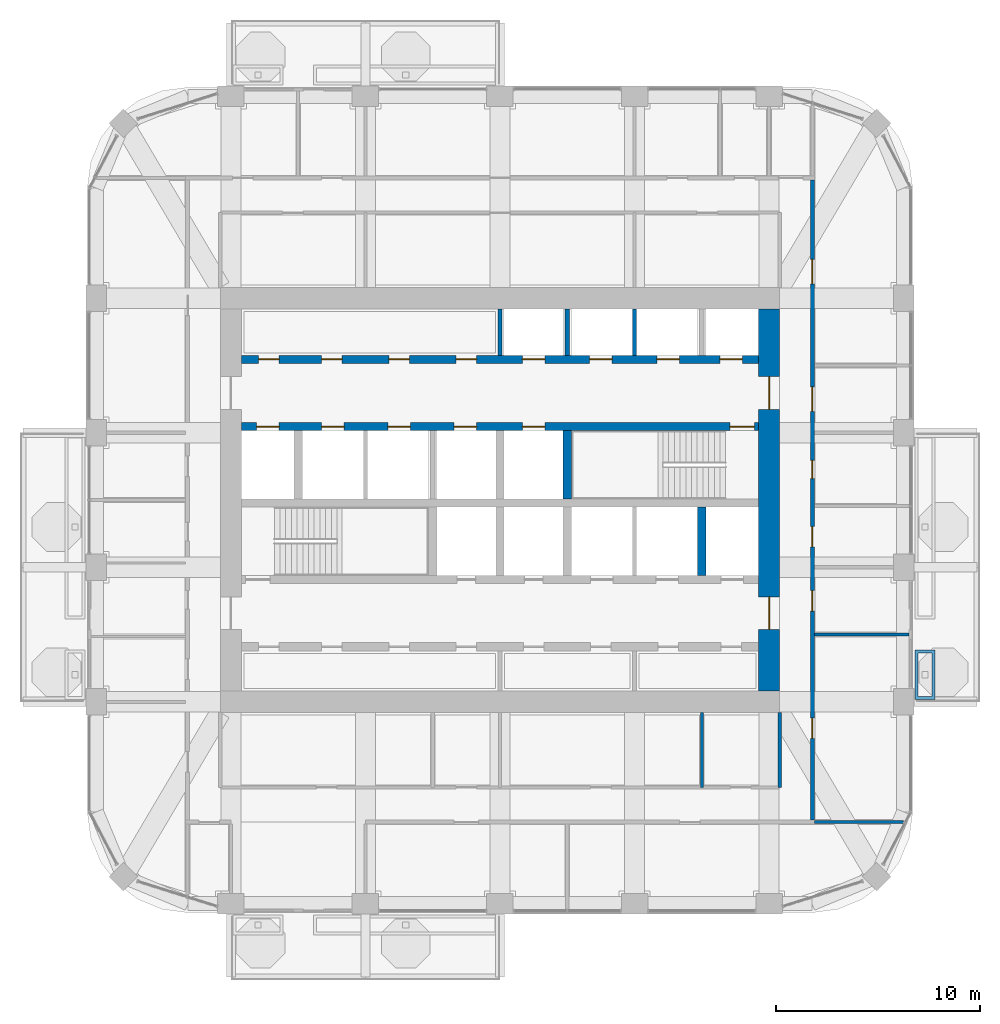
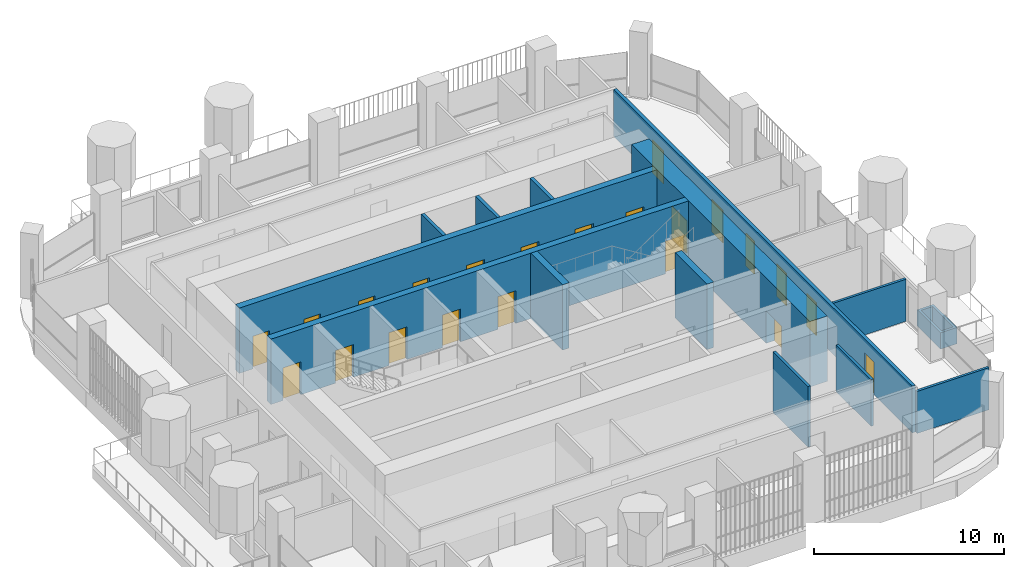
# One storey, part 13 of 20: 22 doors, 14 walls, 22 openings.
"""IFC4 building model written with IfcOpenShell, lengths in metres."""

from ifc_helpers import new_model, si_unit, direction, frame, frame_2d, origin, place, context, subcontext, project, spatial, polyline, rectangle, outline, extrude, material, layer, layer_set, type_object, element, fill, save


model = new_model("IFC4")

# Units and contexts
model_context = context("Model", 3, precision=1e-05, world=origin(), true_north=direction((0.0, 1.0)))
body_context = subcontext(model_context, "Body", "Model", "MODEL_VIEW")
ifc_project = project(units=[si_unit("LENGTHUNIT", "METRE"), si_unit("AREAUNIT", "SQUARE_METRE"), si_unit("VOLUMEUNIT", "CUBIC_METRE"), si_unit("PLANEANGLEUNIT", "RADIAN"), si_unit("MASSUNIT", "GRAM", prefix="KILO")], contexts=[model_context])

# Site, building, storey
site_placement = place(None, origin())
site = spatial("IfcSite", under=ifc_project, at=site_placement, CompositionType="ELEMENT")
building_placement = place(site_placement, origin())
building = spatial("IfcBuilding", under=site, at=building_placement, Name="Cobogo Forest Laboratory Tower", CompositionType="ELEMENT")
storey_placement = place(building_placement, frame((0.0, 0.0, 254.39990234375)))
storey = spatial("IfcBuildingStorey", under=building, at=storey_placement, Name="L58", CompositionType="ELEMENT", Elevation=254.39990234375)

# Wall, openings, doors
ifc_material_1 = material(Name="Concrete HA-50 (C50/60)", Category="concrete")
ifc_layer_1 = layer(ifc_material_1, 0.39990234375)
ifc_layer_set_1 = layer_set([ifc_layer_1], Name="CI400 core inner wall 400")
wall_type_1 = type_object("IfcWallType", Name="CI400 core inner wall 400", PredefinedType="SHEAR", material=ifc_layer_set_1)
wall_1_placement = place(storey_placement, frame((13.72509765625, 26.699951171875, 0.0), z_axis=(0.0, 0.0, 1.0), x_axis=(1.0, 0.0, 0.0)))
wall_1 = element("IfcWall", 1, at=wall_1_placement, inside=storey, type_object=wall_type_1, Name="Core wall CI-26.7 L58", PredefinedType="SHEAR", context=body_context, shape_type="SweptSolid", body=[
    extrude(rectangle(XDim=25.349853515625, YDim=0.39990234375, at=frame_2d((12.6748046875, 0.0))), origin(), (0.0, 0.0, 1.0), 4.2001953125),
])
opening_1_placement = place(wall_1_placement, frame((23.949951171875, 0.0, 0.0)))
opening_1 = element("IfcOpeningElement", 2, at=opening_1_placement, cuts=wall_1, Name="Opening L58-D33", PredefinedType="OPENING", context=body_context, shape_type="SweptSolid", body=[
    extrude(rectangle(XDim=1.199951171875, YDim=2.10009765625, at=frame_2d((0.60009765625, 1.050048828125))), frame((0.0, 0.2099609375, 0.0), z_axis=(0.0, -1.0, 0.0), x_axis=(1.0, 0.0, 0.0)), (0.0, 0.0, 1.0), 0.419921875),
])
opening_2_placement = place(wall_1_placement, frame((0.737548828125, 0.0, 0.0)))
opening_2 = element("IfcOpeningElement", 3, at=opening_2_placement, cuts=wall_1, Name="Opening L58-LD-FL1", PredefinedType="OPENING", context=body_context, shape_type="SweptSolid", body=[
    extrude(rectangle(XDim=1.10009765625, YDim=2.10009765625, at=frame_2d((0.550048828125, 1.050048828125))), frame((0.0, 0.2099609375, 0.0), z_axis=(0.0, -1.0, 0.0), x_axis=(1.0, 0.0, 0.0)), (0.0, 0.0, 1.0), 0.419921875),
])
opening_3_placement = place(wall_1_placement, frame((3.925048828125, 0.0, 0.0)))
opening_3 = element("IfcOpeningElement", 4, at=opening_3_placement, cuts=wall_1, Name="Opening L58-LD-LS3", PredefinedType="OPENING", context=body_context, shape_type="SweptSolid", body=[
    extrude(rectangle(XDim=1.10009765625, YDim=2.10009765625, at=frame_2d((0.550048828125, 1.050048828125))), frame((0.0, 0.2099609375, 0.0), z_axis=(0.0, -1.0, 0.0), x_axis=(1.0, 0.0, 0.0)), (0.0, 0.0, 1.0), 0.419921875),
])
opening_4_placement = place(wall_1_placement, frame((7.175048828125, 0.0, 0.0)))
opening_4 = element("IfcOpeningElement", 5, at=opening_4_placement, cuts=wall_1, Name="Opening L58-LD-LS4", PredefinedType="OPENING", context=body_context, shape_type="SweptSolid", body=[
    extrude(rectangle(XDim=1.10009765625, YDim=2.10009765625, at=frame_2d((0.550048828125, 1.050048828125))), frame((0.0, 0.2099609375, 0.0), z_axis=(0.0, -1.0, 0.0), x_axis=(1.0, 0.0, 0.0)), (0.0, 0.0, 1.0), 0.419921875),
])
opening_5_placement = place(wall_1_placement, frame((10.425048828125, 0.0, 0.0)))
opening_5 = element("IfcOpeningElement", 6, at=opening_5_placement, cuts=wall_1, Name="Opening L58-LD-LS5", PredefinedType="OPENING", context=body_context, shape_type="SweptSolid", body=[
    extrude(rectangle(XDim=1.10009765625, YDim=2.10009765625, at=frame_2d((0.550048828125, 1.050048828125))), frame((0.0, 0.2099609375, 0.0), z_axis=(0.0, -1.0, 0.0), x_axis=(1.0, 0.0, 0.0)), (0.0, 0.0, 1.0), 0.419921875),
])
opening_6_placement = place(wall_1_placement, frame((13.77490234375, 0.0, 0.0)))
opening_6 = element("IfcOpeningElement", 7, at=opening_6_placement, cuts=wall_1, Name="Opening L58-LD-LS6", PredefinedType="OPENING", context=body_context, shape_type="SweptSolid", body=[
    extrude(rectangle(XDim=1.10009765625, YDim=2.10009765625, at=frame_2d((0.550048828125, 1.050048828125))), frame((0.0, 0.2099609375, 0.0), z_axis=(0.0, -1.0, 0.0), x_axis=(1.0, 0.0, 0.0)), (0.0, 0.0, 1.0), 0.419921875),
])
ifc_material_2 = material(Name="Steel fire door", Category="steel")
door_type_1 = type_object("IfcDoorType", Name="DS1 protected stair door 1200 EI2 60", OperationType="SINGLE_SWING_LEFT", PredefinedType="DOOR", material=ifc_material_2)
door_1_placement = place(opening_1_placement, origin())
door_1 = element("IfcDoor", 8, at=door_1_placement, inside=storey, type_object=door_type_1, Name="Door L58-ST2", OperationType="SINGLE_SWING_RIGHT", OverallHeight=2.10009765625, OverallWidth=1.199951171875, PredefinedType="DOOR", context=body_context, shape_type="SweptSolid", body=[
    extrude(rectangle(XDim=1.199951171875, YDim=2.10009765625, at=frame_2d((0.60009765625, 1.050048828125))), frame((0.0, 0.02490234375, 0.0), z_axis=(0.0, -1.0, 0.0), x_axis=(1.0, 0.0, 0.0)), (0.0, 0.0, 1.0), 0.050048828125),
])
fill(opening_1, door_1)
ifc_material_3 = material(Name="Stainless steel lift door", Category="steel")
door_type_2 = type_object("IfcDoorType", Name="LD lift landing door 1100", OperationType="DOUBLE_DOOR_SLIDING", PredefinedType="DOOR", material=ifc_material_3)
door_2_placement = place(opening_2_placement, origin())
door_2 = element("IfcDoor", 9, at=door_2_placement, inside=storey, type_object=door_type_2, Name="Lift landing door FL1 L58", OperationType="DOUBLE_DOOR_SLIDING", OverallHeight=2.10009765625, OverallWidth=1.10009765625, PredefinedType="DOOR", context=body_context, shape_type="SweptSolid", body=[
    extrude(rectangle(XDim=1.10009765625, YDim=2.10009765625, at=frame_2d((0.550048828125, 1.050048828125))), frame((0.0, 0.02490234375, 0.0), z_axis=(0.0, -1.0, 0.0), x_axis=(1.0, 0.0, 0.0)), (0.0, 0.0, 1.0), 0.050048828125),
])
fill(opening_2, door_2)
door_3_placement = place(opening_3_placement, origin())
door_3 = element("IfcDoor", 10, at=door_3_placement, inside=storey, type_object=door_type_2, Name="Lift landing door LS3 L58", OperationType="DOUBLE_DOOR_SLIDING", OverallHeight=2.10009765625, OverallWidth=1.10009765625, PredefinedType="DOOR", context=body_context, shape_type="SweptSolid", body=[
    extrude(rectangle(XDim=1.10009765625, YDim=2.10009765625, at=frame_2d((0.550048828125, 1.050048828125))), frame((0.0, 0.02490234375, 0.0), z_axis=(0.0, -1.0, 0.0), x_axis=(1.0, 0.0, 0.0)), (0.0, 0.0, 1.0), 0.050048828125),
])
fill(opening_3, door_3)
door_4_placement = place(opening_4_placement, origin())
door_4 = element("IfcDoor", 11, at=door_4_placement, inside=storey, type_object=door_type_2, Name="Lift landing door LS4 L58", OperationType="DOUBLE_DOOR_SLIDING", OverallHeight=2.10009765625, OverallWidth=1.10009765625, PredefinedType="DOOR", context=body_context, shape_type="SweptSolid", body=[
    extrude(rectangle(XDim=1.10009765625, YDim=2.10009765625, at=frame_2d((0.550048828125, 1.050048828125))), frame((0.0, 0.02490234375, 0.0), z_axis=(0.0, -1.0, 0.0), x_axis=(1.0, 0.0, 0.0)), (0.0, 0.0, 1.0), 0.050048828125),
])
fill(opening_4, door_4)
door_5_placement = place(opening_5_placement, origin())
door_5 = element("IfcDoor", 12, at=door_5_placement, inside=storey, type_object=door_type_2, Name="Lift landing door LS5 L58", OperationType="DOUBLE_DOOR_SLIDING", OverallHeight=2.10009765625, OverallWidth=1.10009765625, PredefinedType="DOOR", context=body_context, shape_type="SweptSolid", body=[
    extrude(rectangle(XDim=1.10009765625, YDim=2.10009765625, at=frame_2d((0.550048828125, 1.050048828125))), frame((0.0, 0.02490234375, 0.0), z_axis=(0.0, -1.0, 0.0), x_axis=(1.0, 0.0, 0.0)), (0.0, 0.0, 1.0), 0.050048828125),
])
fill(opening_5, door_5)
door_6_placement = place(opening_6_placement, origin())
door_6 = element("IfcDoor", 13, at=door_6_placement, inside=storey, type_object=door_type_2, Name="Lift landing door LS6 L58", OperationType="DOUBLE_DOOR_SLIDING", OverallHeight=2.10009765625, OverallWidth=1.10009765625, PredefinedType="DOOR", context=body_context, shape_type="SweptSolid", body=[
    extrude(rectangle(XDim=1.10009765625, YDim=2.10009765625, at=frame_2d((0.550048828125, 1.050048828125))), frame((0.0, 0.02490234375, 0.0), z_axis=(0.0, -1.0, 0.0), x_axis=(1.0, 0.0, 0.0)), (0.0, 0.0, 1.0), 0.050048828125),
])
fill(opening_6, door_6)

wall_2_placement = place(storey_placement, frame((13.72509765625, 30.0, 0.0), z_axis=(0.0, 0.0, 1.0), x_axis=(1.0, 0.0, 0.0)))
wall_2 = element("IfcWall", 14, at=wall_2_placement, inside=storey, type_object=wall_type_1, Name="Core wall CI-30.0 L58", PredefinedType="SHEAR", context=body_context, shape_type="SweptSolid", body=[
    extrude(rectangle(XDim=25.349853515625, YDim=0.39990234375, at=frame_2d((12.6748046875, 0.0))), origin(), (0.0, 0.0, 1.0), 4.2001953125),
])
opening_7_placement = place(wall_2_placement, frame((0.83740234375, 0.0, 0.0)))
opening_7 = element("IfcOpeningElement", 15, at=opening_7_placement, cuts=wall_2, Name="Opening L58-D37", PredefinedType="OPENING", context=body_context, shape_type="SweptSolid", body=[
    extrude(rectangle(XDim=1.0, YDim=2.10009765625, at=frame_2d((0.5, 1.050048828125))), frame((0.0, 0.2099609375, 0.0), z_axis=(0.0, -1.0, 0.0), x_axis=(1.0, 0.0, 0.0)), (0.0, 0.0, 1.0), 0.419921875),
])
opening_8_placement = place(wall_2_placement, frame((3.925048828125, 0.0, 0.0)))
opening_8 = element("IfcOpeningElement", 16, at=opening_8_placement, cuts=wall_2, Name="Opening L58-D38", PredefinedType="OPENING", context=body_context, shape_type="SweptSolid", body=[
    extrude(rectangle(XDim=1.0, YDim=2.10009765625, at=frame_2d((0.5, 1.050048828125))), frame((0.0, 0.2099609375, 0.0), z_axis=(0.0, -1.0, 0.0), x_axis=(1.0, 0.0, 0.0)), (0.0, 0.0, 1.0), 0.419921875),
])
opening_9_placement = place(wall_2_placement, frame((7.22509765625, 0.0, 0.0)))
opening_9 = element("IfcOpeningElement", 17, at=opening_9_placement, cuts=wall_2, Name="Opening L58-D39", PredefinedType="OPENING", context=body_context, shape_type="SweptSolid", body=[
    extrude(rectangle(XDim=1.0, YDim=2.10009765625, at=frame_2d((0.5, 1.050048828125))), frame((0.0, 0.2099609375, 0.0), z_axis=(0.0, -1.0, 0.0), x_axis=(1.0, 0.0, 0.0)), (0.0, 0.0, 1.0), 0.419921875),
])
opening_10_placement = place(wall_2_placement, frame((10.52490234375, 0.0, 0.0)))
opening_10 = element("IfcOpeningElement", 18, at=opening_10_placement, cuts=wall_2, Name="Opening L58-D40", PredefinedType="OPENING", context=body_context, shape_type="SweptSolid", body=[
    extrude(rectangle(XDim=1.0, YDim=2.10009765625, at=frame_2d((0.5, 1.050048828125))), frame((0.0, 0.2099609375, 0.0), z_axis=(0.0, -1.0, 0.0), x_axis=(1.0, 0.0, 0.0)), (0.0, 0.0, 1.0), 0.419921875),
])
opening_11_placement = place(wall_2_placement, frame((13.77490234375, 0.0, 0.0)))
opening_11 = element("IfcOpeningElement", 19, at=opening_11_placement, cuts=wall_2, Name="Opening L58-LD-LD1", PredefinedType="OPENING", context=body_context, shape_type="SweptSolid", body=[
    extrude(rectangle(XDim=1.10009765625, YDim=2.10009765625, at=frame_2d((0.550048828125, 1.050048828125))), frame((0.0, 0.2099609375, 0.0), z_axis=(0.0, -1.0, 0.0), x_axis=(1.0, 0.0, 0.0)), (0.0, 0.0, 1.0), 0.419921875),
])
opening_12_placement = place(wall_2_placement, frame((17.074951171875, 0.0, 0.0)))
opening_12 = element("IfcOpeningElement", 20, at=opening_12_placement, cuts=wall_2, Name="Opening L58-LD-LD2", PredefinedType="OPENING", context=body_context, shape_type="SweptSolid", body=[
    extrude(rectangle(XDim=1.10009765625, YDim=2.10009765625, at=frame_2d((0.550048828125, 1.050048828125))), frame((0.0, 0.2099609375, 0.0), z_axis=(0.0, -1.0, 0.0), x_axis=(1.0, 0.0, 0.0)), (0.0, 0.0, 1.0), 0.419921875),
])
opening_13_placement = place(wall_2_placement, frame((20.375, 0.0, 0.0)))
opening_13 = element("IfcOpeningElement", 21, at=opening_13_placement, cuts=wall_2, Name="Opening L58-LD-LD3", PredefinedType="OPENING", context=body_context, shape_type="SweptSolid", body=[
    extrude(rectangle(XDim=1.10009765625, YDim=2.10009765625, at=frame_2d((0.550048828125, 1.050048828125))), frame((0.0, 0.2099609375, 0.0), z_axis=(0.0, -1.0, 0.0), x_axis=(1.0, 0.0, 0.0)), (0.0, 0.0, 1.0), 0.419921875),
])
opening_14_placement = place(wall_2_placement, frame((23.46240234375, 0.0, 0.0)))
opening_14 = element("IfcOpeningElement", 22, at=opening_14_placement, cuts=wall_2, Name="Opening L58-LD-LD4", PredefinedType="OPENING", context=body_context, shape_type="SweptSolid", body=[
    extrude(rectangle(XDim=1.10009765625, YDim=2.10009765625, at=frame_2d((0.550048828125, 1.050048828125))), frame((0.0, 0.2099609375, 0.0), z_axis=(0.0, -1.0, 0.0), x_axis=(1.0, 0.0, 0.0)), (0.0, 0.0, 1.0), 0.419921875),
])
door_type_3 = type_object("IfcDoorType", Name="FD1 fire door 1000 EI2 60", OperationType="SINGLE_SWING_LEFT", PredefinedType="DOOR", material=ifc_material_2)
door_7_placement = place(opening_7_placement, origin())
door_7 = element("IfcDoor", 23, at=door_7_placement, inside=storey, type_object=door_type_3, Name="Door L58-SH-LC1", OperationType="SINGLE_SWING_LEFT", OverallHeight=2.10009765625, OverallWidth=1.0, PredefinedType="DOOR", context=body_context, shape_type="SweptSolid", body=[
    extrude(rectangle(XDim=1.0, YDim=2.10009765625, at=frame_2d((0.5, 1.050048828125))), frame((0.0, 0.02490234375, 0.0), z_axis=(0.0, -1.0, 0.0), x_axis=(1.0, 0.0, 0.0)), (0.0, 0.0, 1.0), 0.050048828125),
])
fill(opening_7, door_7)
door_8_placement = place(opening_8_placement, origin())
door_8 = element("IfcDoor", 24, at=door_8_placement, inside=storey, type_object=door_type_3, Name="Door L58-SH-LC2", OperationType="SINGLE_SWING_LEFT", OverallHeight=2.10009765625, OverallWidth=1.0, PredefinedType="DOOR", context=body_context, shape_type="SweptSolid", body=[
    extrude(rectangle(XDim=1.0, YDim=2.10009765625, at=frame_2d((0.5, 1.050048828125))), frame((0.0, 0.02490234375, 0.0), z_axis=(0.0, -1.0, 0.0), x_axis=(1.0, 0.0, 0.0)), (0.0, 0.0, 1.0), 0.050048828125),
])
fill(opening_8, door_8)
door_9_placement = place(opening_9_placement, origin())
door_9 = element("IfcDoor", 25, at=door_9_placement, inside=storey, type_object=door_type_3, Name="Door L58-SH-LC3", OperationType="SINGLE_SWING_LEFT", OverallHeight=2.10009765625, OverallWidth=1.0, PredefinedType="DOOR", context=body_context, shape_type="SweptSolid", body=[
    extrude(rectangle(XDim=1.0, YDim=2.10009765625, at=frame_2d((0.5, 1.050048828125))), frame((0.0, 0.02490234375, 0.0), z_axis=(0.0, -1.0, 0.0), x_axis=(1.0, 0.0, 0.0)), (0.0, 0.0, 1.0), 0.050048828125),
])
fill(opening_9, door_9)
door_10_placement = place(opening_10_placement, origin())
door_10 = element("IfcDoor", 26, at=door_10_placement, inside=storey, type_object=door_type_3, Name="Door L58-SH-LC4", OperationType="SINGLE_SWING_LEFT", OverallHeight=2.10009765625, OverallWidth=1.0, PredefinedType="DOOR", context=body_context, shape_type="SweptSolid", body=[
    extrude(rectangle(XDim=1.0, YDim=2.10009765625, at=frame_2d((0.5, 1.050048828125))), frame((0.0, 0.02490234375, 0.0), z_axis=(0.0, -1.0, 0.0), x_axis=(1.0, 0.0, 0.0)), (0.0, 0.0, 1.0), 0.050048828125),
])
fill(opening_10, door_10)
door_11_placement = place(opening_11_placement, origin())
door_11 = element("IfcDoor", 27, at=door_11_placement, inside=storey, type_object=door_type_2, Name="Lift landing door LD1 L58", OperationType="DOUBLE_DOOR_SLIDING", OverallHeight=2.10009765625, OverallWidth=1.10009765625, PredefinedType="DOOR", context=body_context, shape_type="SweptSolid", body=[
    extrude(rectangle(XDim=1.10009765625, YDim=2.10009765625, at=frame_2d((0.550048828125, 1.050048828125))), frame((0.0, 0.02490234375, 0.0), z_axis=(0.0, -1.0, 0.0), x_axis=(1.0, 0.0, 0.0)), (0.0, 0.0, 1.0), 0.050048828125),
])
fill(opening_11, door_11)
door_12_placement = place(opening_12_placement, origin())
door_12 = element("IfcDoor", 28, at=door_12_placement, inside=storey, type_object=door_type_2, Name="Lift landing door LD2 L58", OperationType="DOUBLE_DOOR_SLIDING", OverallHeight=2.10009765625, OverallWidth=1.10009765625, PredefinedType="DOOR", context=body_context, shape_type="SweptSolid", body=[
    extrude(rectangle(XDim=1.10009765625, YDim=2.10009765625, at=frame_2d((0.550048828125, 1.050048828125))), frame((0.0, 0.02490234375, 0.0), z_axis=(0.0, -1.0, 0.0), x_axis=(1.0, 0.0, 0.0)), (0.0, 0.0, 1.0), 0.050048828125),
])
fill(opening_12, door_12)
door_13_placement = place(opening_13_placement, origin())
door_13 = element("IfcDoor", 29, at=door_13_placement, inside=storey, type_object=door_type_2, Name="Lift landing door LD3 L58", OperationType="DOUBLE_DOOR_SLIDING", OverallHeight=2.10009765625, OverallWidth=1.10009765625, PredefinedType="DOOR", context=body_context, shape_type="SweptSolid", body=[
    extrude(rectangle(XDim=1.10009765625, YDim=2.10009765625, at=frame_2d((0.550048828125, 1.050048828125))), frame((0.0, 0.02490234375, 0.0), z_axis=(0.0, -1.0, 0.0), x_axis=(1.0, 0.0, 0.0)), (0.0, 0.0, 1.0), 0.050048828125),
])
fill(opening_13, door_13)
door_14_placement = place(opening_14_placement, origin())
door_14 = element("IfcDoor", 30, at=door_14_placement, inside=storey, type_object=door_type_2, Name="Lift landing door LD4 L58", OperationType="DOUBLE_DOOR_SLIDING", OverallHeight=2.10009765625, OverallWidth=1.10009765625, PredefinedType="DOOR", context=body_context, shape_type="SweptSolid", body=[
    extrude(rectangle(XDim=1.10009765625, YDim=2.10009765625, at=frame_2d((0.550048828125, 1.050048828125))), frame((0.0, 0.02490234375, 0.0), z_axis=(0.0, -1.0, 0.0), x_axis=(1.0, 0.0, 0.0)), (0.0, 0.0, 1.0), 0.050048828125),
])
fill(opening_14, door_14)

# Walls
for number, where, z_axis, x_axis, name in (
    (31, (36.300048828125, 19.39990234375, 0.0), (0.0, 0.0, 1.0), (0.0, 1.0, 0.0), "Core wall CX-36.3 L58"),
    (32, (29.699951171875, 23.14990234375, 0.0), (0.0, 0.0, 1.0), (0.0, 1.0, 0.0), "Core wall CX-29.7N L58"),
):
    element("IfcWall", number, at=place(storey_placement, frame(where, z_axis=z_axis, x_axis=x_axis)), inside=storey, type_object=wall_type_1, Name=name, PredefinedType="SHEAR", context=body_context, shape_type="SweptSolid", body=[
        extrude(rectangle(XDim=3.35009765625, YDim=0.39990234375, at=frame_2d((1.675048828125, 0.0))), origin(), (0.0, 0.0, 1.0), 4.2001953125),
    ])

# Wall, openings, doors
ifc_layer_2 = layer(ifc_material_1, 1.050048828125)
ifc_layer_set_2 = layer_set([ifc_layer_2], Name="CW1050 core outer wall 1050")
wall_type_2 = type_object("IfcWallType", Name="CW1050 core outer wall 1050", PredefinedType="SHEAR", material=ifc_layer_set_2)
wall_3_placement = place(storey_placement, frame((39.60009765625, 13.72509765625, 0.0), z_axis=(0.0, 0.0, 1.0), x_axis=(0.0, 1.0, 0.0)))
wall_3 = element("IfcWall", 33, at=wall_3_placement, inside=storey, type_object=wall_type_2, Name="Core wall CO-E L58", PredefinedType="SHEAR", context=body_context, shape_type="SweptSolid", body=[
    extrude(rectangle(XDim=18.75, YDim=1.050048828125, at=frame_2d((9.375, 0.0))), origin(), (0.0, 0.0, 1.0), 4.2001953125),
])
opening_15_placement = place(wall_3_placement, frame((3.02490234375, 0.0, 0.0)))
opening_15 = element("IfcOpeningElement", 34, at=opening_15_placement, cuts=wall_3, Name="Opening L58-D23", PredefinedType="OPENING", context=body_context, shape_type="SweptSolid", body=[
    extrude(rectangle(XDim=1.60009765625, YDim=2.10009765625, at=frame_2d((0.800048828125, 1.050048828125))), frame((0.0, 0.534912109375, 0.0), z_axis=(0.0, -1.0, 0.0), x_axis=(1.0, 0.0, 0.0)), (0.0, 0.0, 1.0), 1.070068359375),
])
opening_16_placement = place(wall_3_placement, frame((13.824951171875, 0.0, 0.0)))
opening_16 = element("IfcOpeningElement", 35, at=opening_16_placement, cuts=wall_3, Name="Opening L58-D36", PredefinedType="OPENING", context=body_context, shape_type="SweptSolid", body=[
    extrude(rectangle(XDim=1.60009765625, YDim=2.10009765625, at=frame_2d((0.800048828125, 1.050048828125))), frame((0.0, 0.534912109375, 0.0), z_axis=(0.0, -1.0, 0.0), x_axis=(1.0, 0.0, 0.0)), (0.0, 0.0, 1.0), 1.070068359375),
])
door_type_4 = type_object("IfcDoorType", Name="DS2 protected lobby door pair 1600 EI2 60", OperationType="DOUBLE_DOOR_DOUBLE_SWING", PredefinedType="DOOR", material=ifc_material_2)
door_15_placement = place(opening_15_placement, origin())
door_15 = element("IfcDoor", 36, at=door_15_placement, inside=storey, type_object=door_type_4, Name="Door L58-CO-E-S", OperationType="DOUBLE_DOOR_DOUBLE_SWING", OverallHeight=2.10009765625, OverallWidth=1.60009765625, PredefinedType="DOOR", context=body_context, shape_type="SweptSolid", body=[
    extrude(rectangle(XDim=1.60009765625, YDim=2.10009765625, at=frame_2d((0.800048828125, 1.050048828125))), frame((0.0, 0.02490234375, 0.0), z_axis=(0.0, -1.0, 0.0), x_axis=(1.0, 0.0, 0.0)), (0.0, 0.0, 1.0), 0.050048828125),
])
fill(opening_15, door_15)
door_16_placement = place(opening_16_placement, origin())
door_16 = element("IfcDoor", 37, at=door_16_placement, inside=storey, type_object=door_type_4, Name="Door L58-CO-E-N", OperationType="DOUBLE_DOOR_DOUBLE_SWING", OverallHeight=2.10009765625, OverallWidth=1.60009765625, PredefinedType="DOOR", context=body_context, shape_type="SweptSolid", body=[
    extrude(rectangle(XDim=1.60009765625, YDim=2.10009765625, at=frame_2d((0.800048828125, 1.050048828125))), frame((0.0, 0.02490234375, 0.0), z_axis=(0.0, -1.0, 0.0), x_axis=(1.0, 0.0, 0.0)), (0.0, 0.0, 1.0), 0.050048828125),
])
fill(opening_16, door_16)

# Walls
ifc_material_4 = material(Name="Gypsum board on steel studs", Category="steel")
ifc_layer_3 = layer(ifc_material_4, 0.14990234375)
ifc_layer_set_3 = layer_set([ifc_layer_3], Name="PT1 laboratory partition 150")
wall_type_3 = type_object("IfcWallType", Name="PT1 laboratory partition 150", PredefinedType="PARTITIONING", material=ifc_layer_set_3)
wall_4_placement = place(storey_placement, frame((40.125, 12.675048828125, 0.0), z_axis=(0.0, 0.0, 1.0), x_axis=(0.0, -1.0, 0.0)))
element("IfcWall", 38, at=wall_4_placement, inside=storey, type_object=wall_type_3, Name="Partition CSTRIP-SE L58", PredefinedType="PARTITIONING", context=body_context, shape_type="SweptSolid", body=[
    extrude(rectangle(XDim=3.675048828125, YDim=0.14990234375, at=frame_2d((1.83740234375, 0.0))), origin(), (0.0, 0.0, 1.0), 3.0),
])
wall_5_placement = place(storey_placement, frame((36.300048828125, 12.675048828125, 0.0), z_axis=(0.0, 0.0, 1.0), x_axis=(0.0, -1.0, 0.0)))
element("IfcWall", 39, at=wall_5_placement, inside=storey, type_object=wall_type_3, Name="Partition CSTRIP-S36.3 L58", PredefinedType="PARTITIONING", context=body_context, shape_type="SweptSolid", body=[
    extrude(rectangle(XDim=3.675048828125, YDim=0.14990234375, at=frame_2d((1.83740234375, 0.0))), origin(), (0.0, 0.0, 1.0), 3.900146484375),
])
wall_6_placement = place(storey_placement, frame((46.197509765625, 7.300048828125, 0.0), z_axis=(0.0, 0.0, 1.0), x_axis=(-1.0, 0.0, 0.0)))
element("IfcWall", 40, at=wall_6_placement, inside=storey, type_object=wall_type_3, Name="Partition PW-SE L58", PredefinedType="PARTITIONING", context=body_context, shape_type="SweptSolid", body=[
    extrude(rectangle(XDim=4.37255859375, YDim=0.14990234375, at=frame_2d((2.186279296875, 0.0))), origin(), (0.0, 0.0, 1.0), 2.7001953125),
])
wall_7_placement = place(storey_placement, frame((46.469970703125, 16.5, 0.0), z_axis=(0.0, 0.0, 1.0), x_axis=(-1.0, 0.0, 0.0)))
element("IfcWall", 41, at=wall_7_placement, inside=storey, type_object=wall_type_3, Name="Partition CUT-E16.5-1 L58", PredefinedType="PARTITIONING", context=body_context, shape_type="SweptSolid", body=[
    extrude(rectangle(XDim=4.64501953125, YDim=0.14990234375, at=frame_2d((2.322509765625, 0.0))), origin(), (0.0, 0.0, 1.0), 2.7001953125),
])

# Wall, openings, doors
ifc_layer_4 = layer(ifc_material_4, 0.199951171875)
ifc_layer_set_4 = layer_set([ifc_layer_4], Name="PT2 fire-rated corridor partition 200")
wall_type_4 = type_object("IfcWallType", Name="PT2 fire-rated corridor partition 200", PredefinedType="PARTITIONING", material=ifc_layer_set_4)
wall_8_placement = place(storey_placement, frame((41.72509765625, 7.39990234375, 0.0), z_axis=(0.0, 0.0, 1.0), x_axis=(0.0, 1.0, 0.0)))
wall_8 = element("IfcWall", 42, at=wall_8_placement, inside=storey, type_object=wall_type_4, Name="Partition CORR-E L58", PredefinedType="PARTITIONING", context=body_context, shape_type="SweptSolid", body=[
    extrude(rectangle(XDim=31.400146484375, YDim=0.199951171875, at=frame_2d((15.7001953125, 0.0))), origin(), (0.0, 0.0, 1.0), 3.0),
])
opening_17_placement = place(wall_8_placement, frame((4.0, 0.0, 0.0)))
opening_17 = element("IfcOpeningElement", 43, at=opening_17_placement, cuts=wall_8, Name="Opening L58-D10", PredefinedType="OPENING", context=body_context, shape_type="SweptSolid", body=[
    extrude(rectangle(XDim=1.0, YDim=2.10009765625, at=frame_2d((0.5, 1.050048828125))), frame((0.0, 0.10986328125, 0.0), z_axis=(0.0, -1.0, 0.0), x_axis=(1.0, 0.0, 0.0)), (0.0, 0.0, 1.0), 0.219970703125),
])
opening_18_placement = place(wall_8_placement, frame((10.25, 0.0, 0.0)))
opening_18 = element("IfcOpeningElement", 44, at=opening_18_placement, cuts=wall_8, Name="Opening L58-D24", PredefinedType="OPENING", context=body_context, shape_type="SweptSolid", body=[
    extrude(rectangle(XDim=1.0, YDim=2.10009765625, at=frame_2d((0.5, 1.050048828125))), frame((0.0, 0.10986328125, 0.0), z_axis=(0.0, -1.0, 0.0), x_axis=(1.0, 0.0, 0.0)), (0.0, 0.0, 1.0), 0.219970703125),
])
opening_19_placement = place(wall_8_placement, frame((13.39990234375, 0.0, 0.0)))
opening_19 = element("IfcOpeningElement", 45, at=opening_19_placement, cuts=wall_8, Name="Opening L58-D29", PredefinedType="OPENING", context=body_context, shape_type="SweptSolid", body=[
    extrude(rectangle(XDim=1.0, YDim=2.10009765625, at=frame_2d((0.5, 1.050048828125))), frame((0.0, 0.10986328125, 0.0), z_axis=(0.0, -1.0, 0.0), x_axis=(1.0, 0.0, 0.0)), (0.0, 0.0, 1.0), 0.219970703125),
])
opening_20_placement = place(wall_8_placement, frame((16.75, 0.0, 0.0)))
opening_20 = element("IfcOpeningElement", 46, at=opening_20_placement, cuts=wall_8, Name="Opening L58-D31", PredefinedType="OPENING", context=body_context, shape_type="SweptSolid", body=[
    extrude(rectangle(XDim=0.89990234375, YDim=2.10009765625, at=frame_2d((0.449951171875, 1.050048828125))), frame((0.0, 0.10986328125, 0.0), z_axis=(0.0, -1.0, 0.0), x_axis=(1.0, 0.0, 0.0)), (0.0, 0.0, 1.0), 0.219970703125),
])
opening_21_placement = place(wall_8_placement, frame((20.050048828125, 0.0, 0.0)))
opening_21 = element("IfcOpeningElement", 47, at=opening_21_placement, cuts=wall_8, Name="Opening L58-D34", PredefinedType="OPENING", context=body_context, shape_type="SweptSolid", body=[
    extrude(rectangle(XDim=1.199951171875, YDim=2.10009765625, at=frame_2d((0.60009765625, 1.050048828125))), frame((0.0, 0.10986328125, 0.0), z_axis=(0.0, -1.0, 0.0), x_axis=(1.0, 0.0, 0.0)), (0.0, 0.0, 1.0), 0.219970703125),
])
opening_22_placement = place(wall_8_placement, frame((26.300048828125, 0.0, 0.0)))
opening_22 = element("IfcOpeningElement", 48, at=opening_22_placement, cuts=wall_8, Name="Opening L58-D42", PredefinedType="OPENING", context=body_context, shape_type="SweptSolid", body=[
    extrude(rectangle(XDim=1.199951171875, YDim=2.10009765625, at=frame_2d((0.60009765625, 1.050048828125))), frame((0.0, 0.10986328125, 0.0), z_axis=(0.0, -1.0, 0.0), x_axis=(1.0, 0.0, 0.0)), (0.0, 0.0, 1.0), 0.219970703125),
])
ifc_material_5 = material(Name="Timber door", Category="wood")
door_type_5 = type_object("IfcDoorType", Name="D2 laboratory door 1200 unequal pair", OperationType="DOUBLE_DOOR_SINGLE_SWING", PredefinedType="DOOR", material=ifc_material_5)
door_17_placement = place(opening_21_placement, origin())
door_17 = element("IfcDoor", 49, at=door_17_placement, inside=storey, type_object=door_type_5, Name="Door L58-E3", OperationType="DOUBLE_DOOR_SINGLE_SWING", OverallHeight=2.10009765625, OverallWidth=1.199951171875, PredefinedType="DOOR", context=body_context, shape_type="SweptSolid", body=[
    extrude(rectangle(XDim=1.199951171875, YDim=2.10009765625, at=frame_2d((0.60009765625, 1.050048828125))), frame((0.0, 0.02490234375, 0.0), z_axis=(0.0, -1.0, 0.0), x_axis=(1.0, 0.0, 0.0)), (0.0, 0.0, 1.0), 0.050048828125),
])
fill(opening_21, door_17)
door_18_placement = place(opening_22_placement, origin())
door_18 = element("IfcDoor", 50, at=door_18_placement, inside=storey, type_object=door_type_5, Name="Door L58-E4", OperationType="DOUBLE_DOOR_SINGLE_SWING", OverallHeight=2.10009765625, OverallWidth=1.199951171875, PredefinedType="DOOR", context=body_context, shape_type="SweptSolid", body=[
    extrude(rectangle(XDim=1.199951171875, YDim=2.10009765625, at=frame_2d((0.60009765625, 1.050048828125))), frame((0.0, 0.02490234375, 0.0), z_axis=(0.0, -1.0, 0.0), x_axis=(1.0, 0.0, 0.0)), (0.0, 0.0, 1.0), 0.050048828125),
])
fill(opening_22, door_18)
door_19_placement = place(opening_19_placement, origin())
door_19 = element("IfcDoor", 51, at=door_19_placement, inside=storey, type_object=door_type_3, Name="Door L58-ELEC", OperationType="SINGLE_SWING_LEFT", OverallHeight=2.10009765625, OverallWidth=1.0, PredefinedType="DOOR", context=body_context, shape_type="SweptSolid", body=[
    extrude(rectangle(XDim=1.0, YDim=2.10009765625, at=frame_2d((0.5, 1.050048828125))), frame((0.0, 0.02490234375, 0.0), z_axis=(0.0, -1.0, 0.0), x_axis=(1.0, 0.0, 0.0)), (0.0, 0.0, 1.0), 0.050048828125),
])
fill(opening_19, door_19)
ifc_material_6 = material(Name="Timber fire door", Category="wood")
door_type_6 = type_object("IfcDoorType", Name="FD2 fire door 1000 EI2 30", OperationType="SINGLE_SWING_LEFT", PredefinedType="DOOR", material=ifc_material_6)
door_20_placement = place(opening_17_placement, origin())
door_20 = element("IfcDoor", 52, at=door_20_placement, inside=storey, type_object=door_type_6, Name="Door L58-E1", OperationType="SINGLE_SWING_LEFT", OverallHeight=2.10009765625, OverallWidth=1.0, PredefinedType="DOOR", context=body_context, shape_type="SweptSolid", body=[
    extrude(rectangle(XDim=1.0, YDim=2.10009765625, at=frame_2d((0.5, 1.050048828125))), frame((0.0, 0.02490234375, 0.0), z_axis=(0.0, -1.0, 0.0), x_axis=(1.0, 0.0, 0.0)), (0.0, 0.0, 1.0), 0.050048828125),
])
fill(opening_17, door_20)
door_21_placement = place(opening_18_placement, origin())
door_21 = element("IfcDoor", 53, at=door_21_placement, inside=storey, type_object=door_type_6, Name="Door L58-E2", OperationType="SINGLE_SWING_LEFT", OverallHeight=2.10009765625, OverallWidth=1.0, PredefinedType="DOOR", context=body_context, shape_type="SweptSolid", body=[
    extrude(rectangle(XDim=1.0, YDim=2.10009765625, at=frame_2d((0.5, 1.050048828125))), frame((0.0, 0.02490234375, 0.0), z_axis=(0.0, -1.0, 0.0), x_axis=(1.0, 0.0, 0.0)), (0.0, 0.0, 1.0), 0.050048828125),
])
fill(opening_18, door_21)
door_type_7 = type_object("IfcDoorType", Name="FD4 riser access door 900 EI2 60", OperationType="SINGLE_SWING_LEFT", PredefinedType="DOOR", material=ifc_material_2)
door_22_placement = place(opening_20_placement, origin())
door_22 = element("IfcDoor", 54, at=door_22_placement, inside=storey, type_object=door_type_7, Name="Door L58-COMMS", OperationType="SINGLE_SWING_RIGHT", OverallHeight=2.10009765625, OverallWidth=0.89990234375, PredefinedType="DOOR", context=body_context, shape_type="SweptSolid", body=[
    extrude(rectangle(XDim=0.89990234375, YDim=2.10009765625, at=frame_2d((0.449951171875, 1.050048828125))), frame((0.0, 0.02490234375, 0.0), z_axis=(0.0, -1.0, 0.0), x_axis=(1.0, 0.0, 0.0)), (0.0, 0.0, 1.0), 0.050048828125),
])
fill(opening_20, door_22)

# Walls
ifc_material_7 = material(Name="Concrete HA-40 (C40/50)", Category="concrete")
ifc_layer_5 = layer(ifc_material_7, 0.14990234375)
ifc_layer_set_5 = layer_set([ifc_layer_5], Name="Planter box 1000x1050")
wall_type_5 = type_object("IfcWallType", Name="Planter box 1000x1050", PredefinedType="USERDEFINED", material=ifc_layer_set_5)
wall_9_placement = place(storey_placement, origin())
element("IfcWall", 55, at=wall_9_placement, inside=storey, type_object=wall_type_5, Name="Planter BAL-E1-1 L58", ObjectType="PLANTER", PredefinedType="USERDEFINED", context=body_context, shape_type="SweptSolid", body=[
    extrude(outline(polyline([(46.75, 13.300048828125), (47.75, 13.300048828125), (47.75, 15.75), (46.75, 15.75), (46.75, 13.300048828125)]), holes=[polyline([(46.89990234375, 13.449951171875), (47.60009765625, 13.449951171875), (47.60009765625, 15.60009765625), (46.89990234375, 15.60009765625), (46.89990234375, 13.449951171875)])]), origin(), (0.0, 0.0, 1.0), 1.050048828125),
])
ifc_material_8 = material(Name="Concrete block", Category="concrete")
ifc_layer_6 = layer(ifc_material_8, 0.199951171875)
ifc_layer_set_6 = layer_set([ifc_layer_6], Name="SW200 lift shaft separator 200")
wall_type_6 = type_object("IfcWallType", Name="SW200 lift shaft separator 200", PredefinedType="PARTITIONING", material=ifc_layer_set_6)
for number, where, z_axis, x_axis, name in (
    (56, (26.39990234375, 30.199951171875, 0.0), (0.0, 0.0, 1.0), (0.0, 1.0, 0.0), "Core wall SEP-N4 L58"),
    (57, (29.699951171875, 30.199951171875, 0.0), (0.0, 0.0, 1.0), (0.0, 1.0, 0.0), "Core wall SEP-N5 L58"),
    (58, (33.0, 30.199951171875, 0.0), (0.0, 0.0, 1.0), (0.0, 1.0, 0.0), "Core wall SEP-N6 L58"),
):
    element("IfcWall", number, at=place(storey_placement, frame(where, z_axis=z_axis, x_axis=x_axis)), inside=storey, type_object=wall_type_6, Name=name, PredefinedType="PARTITIONING", context=body_context, shape_type="SweptSolid", body=[
        extrude(rectangle(XDim=2.275146484375, YDim=0.199951171875, at=frame_2d((1.1376953125, 0.0))), origin(), (0.0, 0.0, 1.0), 4.2001953125),
    ])

save(model, "model.ifc")
